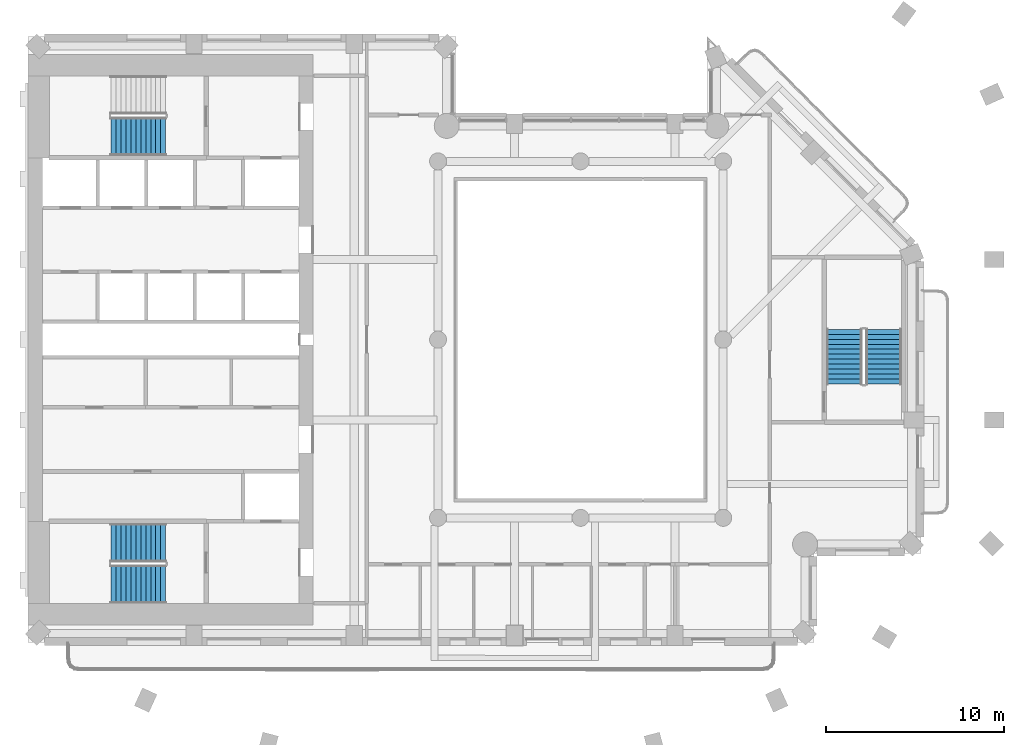
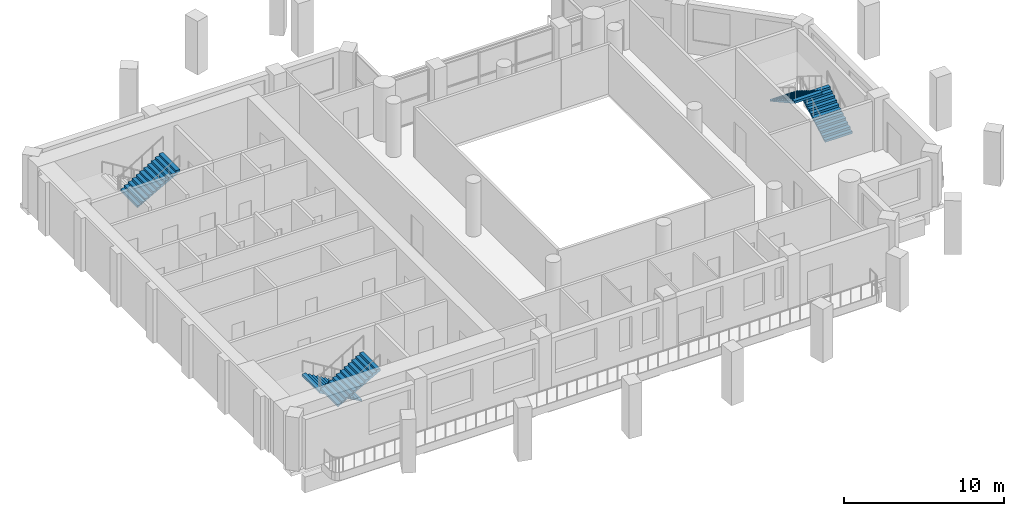
# One storey, part 8 of 14: 5 stair flights, 3 elements without a shape of their own.
"""IFC4 building model written with IfcOpenShell, lengths in metres."""

from ifc_helpers import new_model, si_unit, direction, frame, origin, place, context, subcontext, project, spatial, triangles, material, type_object, element, aggregate, save


model = new_model("IFC4")

# Units and contexts
model_context = context("Model", 3, precision=1e-05, world=origin(), true_north=direction((0.0, 1.0)))
body_context = subcontext(model_context, "Body", "Model", "MODEL_VIEW")
ifc_project = project(units=[si_unit("LENGTHUNIT", "METRE"), si_unit("AREAUNIT", "SQUARE_METRE"), si_unit("VOLUMEUNIT", "CUBIC_METRE"), si_unit("PLANEANGLEUNIT", "RADIAN"), si_unit("MASSUNIT", "GRAM", prefix="KILO")], contexts=[model_context])

# Site, building, storey
site_placement = place(None, origin())
site = spatial("IfcSite", under=ifc_project, at=site_placement, CompositionType="ELEMENT")
building_placement = place(site_placement, origin())
building = spatial("IfcBuilding", under=site, at=building_placement, Name="Cypress Arch Tower", CompositionType="ELEMENT")
storey_placement = place(building_placement, frame((0.0, 0.0, 201.5)))
storey = spatial("IfcBuildingStorey", under=building, at=storey_placement, Name="L44", CompositionType="ELEMENT", Elevation=201.5)

# Stair, stair flights
ifc_material_1 = material(Name="Concrete C40/50", Category="concrete")
stair_type_1 = type_object("IfcStairType", Name="Exit stair ES1708-200", PredefinedType="HALF_TURN_STAIR", material=ifc_material_1)
stair_1_placement = place(storey_placement, origin())
stair_1 = element("IfcStair", 1, at=stair_1_placement, inside=storey, type_object=stair_type_1, Name="L44 Exit stair C", PredefinedType="HALF_TURN_STAIR")
ifc_material_2 = material(Name="Concrete C40/50", Category="concrete")
stair_flight_type_1 = type_object("IfcStairFlightType", Name="Exit stair flight ES1708-200", PredefinedType="STRAIGHT", material=ifc_material_2)
stair_flight_1_placement = place(storey_placement, frame((18.0, -2.5, 0.0), z_axis=(0.0, 0.0, 1.0), x_axis=(0.0, 1.0, 0.0)))
stair_flight_1 = element("IfcStairFlight", 2, at=stair_flight_1_placement, type_object=stair_flight_type_1, Name="C flight 1", NumberOfRisers=12, NumberOfTreads=11, PredefinedType="STRAIGHT", RiserHeight=0.170833333, TreadLength=0.28, context=body_context, shape_type="Tessellation", body=[
    triangles([(0.0, -1.0, 0.0), (0.0, -1.0, 0.1708984375), (0.280029296875, -1.0, 0.1708984375), (0.280029296875, -1.0, 0.341552734375), (0.56005859375, -1.0, 0.341552734375), (0.56005859375, -1.0, 0.512451171875), (0.840087890625, -1.0, 0.512451171875), (0.840087890625, -1.0, 0.683349609375), (1.1201171875, -1.0, 0.683349609375), (1.1201171875, -1.0, 0.854248046875), (1.39990234375, -1.0, 0.854248046875), (1.39990234375, -1.0, 1.02490234375), (1.679931640625, -1.0, 1.02490234375), (1.679931640625, -1.0, 1.19580078125), (1.9599609375, -1.0, 1.19580078125), (1.9599609375, -1.0, 1.36669921875), (2.239990234375, -1.0, 1.36669921875), (2.239990234375, -1.0, 1.53759765625), (2.52001953125, -1.0, 1.53759765625), (2.52001953125, -1.0, 1.708251953125), (2.800048828125, -1.0, 1.708251953125), (2.800048828125, -1.0, 1.879150390625), (3.080078125, -1.0, 1.879150390625), (3.080078125, -1.0, 1.70361328125), (3.080078125, 1.0, 1.70361328125), (3.080078125, 1.0, 1.879150390625), (2.800048828125, 1.0, 1.879150390625), (2.800048828125, 1.0, 1.708251953125), (2.52001953125, 1.0, 1.708251953125), (2.52001953125, 1.0, 1.53759765625), (2.239990234375, 1.0, 1.53759765625), (2.239990234375, 1.0, 1.36669921875), (1.9599609375, 1.0, 1.36669921875), (1.9599609375, 1.0, 1.19580078125), (1.679931640625, 1.0, 1.19580078125), (1.679931640625, 1.0, 1.02490234375), (1.39990234375, 1.0, 1.02490234375), (1.39990234375, 1.0, 0.854248046875), (1.1201171875, 1.0, 0.854248046875), (1.1201171875, 1.0, 0.683349609375), (0.840087890625, 1.0, 0.683349609375), (0.840087890625, 1.0, 0.512451171875), (0.56005859375, 1.0, 0.512451171875), (0.56005859375, 1.0, 0.341552734375), (0.280029296875, 1.0, 0.341552734375), (0.280029296875, 1.0, 0.1708984375), (0.0, 1.0, 0.1708984375), (0.0, 1.0, 0.0), (3.080078125, 0.0, 1.879150390625), (3.080078125, 0.0, 1.70361328125), (2.800048828125, 0.0, 1.879150390625), (2.800048828125, 0.0, 1.708251953125), (2.52001953125, 0.0, 1.708251953125), (2.52001953125, 0.0, 1.53759765625), (2.239990234375, 0.0, 1.53759765625), (2.239990234375, 0.0, 1.36669921875), (1.9599609375, 0.0, 1.36669921875), (1.9599609375, 0.0, 1.19580078125), (1.679931640625, 0.0, 1.19580078125), (1.679931640625, 0.0, 1.02490234375), (1.39990234375, 0.0, 1.02490234375), (1.39990234375, 0.0, 0.854248046875), (1.1201171875, 0.0, 0.854248046875), (1.1201171875, 0.0, 0.683349609375), (0.840087890625, 0.0, 0.683349609375), (0.840087890625, 0.0, 0.512451171875), (0.56005859375, 0.0, 0.512451171875), (0.56005859375, 0.0, 0.341552734375), (0.280029296875, 0.0, 0.341552734375), (0.280029296875, 0.0, 0.1708984375), (0.0, 0.0, 0.1708984375), (0.0, 0.0, 0.0)], [[24, 23, 22], [11, 10, 9], [19, 18, 17], [17, 16, 15], [15, 14, 13], [9, 8, 7], [7, 6, 5], [3, 2, 1], [21, 20, 19], [13, 12, 11], [5, 4, 3], [24, 22, 21], [24, 21, 19], [24, 19, 17], [24, 17, 15], [24, 15, 13], [24, 13, 11], [24, 11, 9], [24, 9, 7], [24, 7, 5], [1, 24, 5], [5, 3, 1], [25, 27, 26], [38, 40, 39], [30, 32, 31], [32, 34, 33], [34, 36, 35], [40, 42, 41], [42, 44, 43], [46, 48, 47], [28, 30, 29], [36, 38, 37], [44, 46, 45], [25, 28, 27], [25, 30, 28], [25, 32, 30], [25, 34, 32], [25, 36, 34], [25, 38, 36], [25, 40, 38], [25, 42, 40], [25, 44, 42], [48, 44, 25], [44, 48, 46], [50, 49, 23], [50, 23, 24], [25, 26, 49], [25, 49, 50], [49, 51, 22], [49, 22, 23], [26, 27, 51], [26, 51, 49], [51, 52, 21], [51, 21, 22], [27, 28, 52], [27, 52, 51], [52, 53, 20], [52, 20, 21], [28, 29, 53], [28, 53, 52], [53, 54, 19], [53, 19, 20], [29, 30, 54], [29, 54, 53], [54, 55, 18], [54, 18, 19], [30, 31, 55], [30, 55, 54], [55, 56, 17], [55, 17, 18], [31, 32, 56], [31, 56, 55], [56, 57, 16], [56, 16, 17], [32, 33, 57], [32, 57, 56], [57, 58, 15], [57, 15, 16], [33, 34, 58], [33, 58, 57], [58, 59, 14], [58, 14, 15], [34, 35, 59], [34, 59, 58], [59, 60, 13], [59, 13, 14], [35, 36, 60], [35, 60, 59], [60, 61, 12], [60, 12, 13], [36, 37, 61], [36, 61, 60], [61, 62, 11], [61, 11, 12], [37, 38, 62], [37, 62, 61], [62, 63, 10], [62, 10, 11], [38, 39, 63], [38, 63, 62], [63, 64, 9], [63, 9, 10], [39, 40, 64], [39, 64, 63], [64, 65, 8], [64, 8, 9], [40, 41, 65], [40, 65, 64], [65, 66, 7], [65, 7, 8], [41, 42, 66], [41, 66, 65], [66, 67, 6], [66, 6, 7], [42, 43, 67], [42, 67, 66], [67, 68, 5], [67, 5, 6], [43, 44, 68], [43, 68, 67], [68, 69, 4], [68, 4, 5], [44, 45, 69], [44, 69, 68], [69, 70, 3], [69, 3, 4], [45, 46, 70], [45, 70, 69], [70, 71, 2], [70, 2, 3], [46, 47, 71], [46, 71, 70], [71, 72, 1], [71, 1, 2], [47, 48, 72], [47, 72, 71], [72, 50, 24], [72, 24, 1], [48, 25, 50], [48, 50, 72]], closed=True),
])
stair_flight_2_placement = place(storey_placement, frame((15.800048828125, 0.580078125, 2.050048828125), z_axis=(0.0, 0.0, 1.0), x_axis=(0.0, -1.0, 0.0)))
stair_flight_2 = element("IfcStairFlight", 3, at=stair_flight_2_placement, type_object=stair_flight_type_1, Name="C flight 2", NumberOfRisers=12, NumberOfTreads=11, PredefinedType="STRAIGHT", RiserHeight=0.170833333, TreadLength=0.28, context=body_context, shape_type="Tessellation", body=[
    triangles([(0.0, -1.0, 0.0), (0.0, -1.0, 0.1708984375), (0.280029296875, -1.0, 0.1708984375), (0.280029296875, -1.0, 0.341552734375), (0.56005859375, -1.0, 0.341552734375), (0.56005859375, -1.0, 0.512451171875), (0.840087890625, -1.0, 0.512451171875), (0.840087890625, -1.0, 0.683349609375), (1.1201171875, -1.0, 0.683349609375), (1.1201171875, -1.0, 0.854248046875), (1.39990234375, -1.0, 0.854248046875), (1.39990234375, -1.0, 1.02490234375), (1.679931640625, -1.0, 1.02490234375), (1.679931640625, -1.0, 1.19580078125), (1.9599609375, -1.0, 1.19580078125), (1.9599609375, -1.0, 1.36669921875), (2.239990234375, -1.0, 1.36669921875), (2.239990234375, -1.0, 1.53759765625), (2.52001953125, -1.0, 1.53759765625), (2.52001953125, -1.0, 1.708251953125), (2.800048828125, -1.0, 1.708251953125), (2.800048828125, -1.0, 1.879150390625), (3.080078125, -1.0, 1.879150390625), (3.080078125, -1.0, 1.70361328125), (3.080078125, 1.0, 1.70361328125), (3.080078125, 1.0, 1.879150390625), (2.800048828125, 1.0, 1.879150390625), (2.800048828125, 1.0, 1.708251953125), (2.52001953125, 1.0, 1.708251953125), (2.52001953125, 1.0, 1.53759765625), (2.239990234375, 1.0, 1.53759765625), (2.239990234375, 1.0, 1.36669921875), (1.9599609375, 1.0, 1.36669921875), (1.9599609375, 1.0, 1.19580078125), (1.679931640625, 1.0, 1.19580078125), (1.679931640625, 1.0, 1.02490234375), (1.39990234375, 1.0, 1.02490234375), (1.39990234375, 1.0, 0.854248046875), (1.1201171875, 1.0, 0.854248046875), (1.1201171875, 1.0, 0.683349609375), (0.840087890625, 1.0, 0.683349609375), (0.840087890625, 1.0, 0.512451171875), (0.56005859375, 1.0, 0.512451171875), (0.56005859375, 1.0, 0.341552734375), (0.280029296875, 1.0, 0.341552734375), (0.280029296875, 1.0, 0.1708984375), (0.0, 1.0, 0.1708984375), (0.0, 1.0, 0.0), (3.080078125, 0.0, 1.879150390625), (3.080078125, 0.0, 1.70361328125), (2.800048828125, 0.0, 1.879150390625), (2.800048828125, 0.0, 1.708251953125), (2.52001953125, 0.0, 1.708251953125), (2.52001953125, 0.0, 1.53759765625), (2.239990234375, 0.0, 1.53759765625), (2.239990234375, 0.0, 1.36669921875), (1.9599609375, 0.0, 1.36669921875), (1.9599609375, 0.0, 1.19580078125), (1.679931640625, 0.0, 1.19580078125), (1.679931640625, 0.0, 1.02490234375), (1.39990234375, 0.0, 1.02490234375), (1.39990234375, 0.0, 0.854248046875), (1.1201171875, 0.0, 0.854248046875), (1.1201171875, 0.0, 0.683349609375), (0.840087890625, 0.0, 0.683349609375), (0.840087890625, 0.0, 0.512451171875), (0.56005859375, 0.0, 0.512451171875), (0.56005859375, 0.0, 0.341552734375), (0.280029296875, 0.0, 0.341552734375), (0.280029296875, 0.0, 0.1708984375), (0.0, 0.0, 0.1708984375), (0.0, 0.0, 0.0)], [[24, 23, 22], [11, 10, 9], [19, 18, 17], [17, 16, 15], [15, 14, 13], [9, 8, 7], [7, 6, 5], [3, 2, 1], [21, 20, 19], [13, 12, 11], [5, 4, 3], [24, 22, 21], [24, 21, 19], [24, 19, 17], [24, 17, 15], [24, 15, 13], [24, 13, 11], [24, 11, 9], [24, 9, 7], [24, 7, 5], [1, 24, 5], [5, 3, 1], [25, 27, 26], [38, 40, 39], [30, 32, 31], [32, 34, 33], [34, 36, 35], [40, 42, 41], [42, 44, 43], [46, 48, 47], [28, 30, 29], [36, 38, 37], [44, 46, 45], [25, 28, 27], [25, 30, 28], [25, 32, 30], [25, 34, 32], [25, 36, 34], [25, 38, 36], [25, 40, 38], [25, 42, 40], [25, 44, 42], [48, 44, 25], [44, 48, 46], [50, 49, 23], [50, 23, 24], [25, 26, 49], [25, 49, 50], [49, 51, 22], [49, 22, 23], [26, 27, 51], [26, 51, 49], [51, 52, 21], [51, 21, 22], [27, 28, 52], [27, 52, 51], [52, 53, 20], [52, 20, 21], [28, 29, 53], [28, 53, 52], [53, 54, 19], [53, 19, 20], [29, 30, 54], [29, 54, 53], [54, 55, 18], [54, 18, 19], [30, 31, 55], [30, 55, 54], [55, 56, 17], [55, 17, 18], [31, 32, 56], [31, 56, 55], [56, 57, 16], [56, 16, 17], [32, 33, 57], [32, 57, 56], [57, 58, 15], [57, 15, 16], [33, 34, 58], [33, 58, 57], [58, 59, 14], [58, 14, 15], [34, 35, 59], [34, 59, 58], [59, 60, 13], [59, 13, 14], [35, 36, 60], [35, 60, 59], [60, 61, 12], [60, 12, 13], [36, 37, 61], [36, 61, 60], [61, 62, 11], [61, 11, 12], [37, 38, 62], [37, 62, 61], [62, 63, 10], [62, 10, 11], [38, 39, 63], [38, 63, 62], [63, 64, 9], [63, 9, 10], [39, 40, 64], [39, 64, 63], [64, 65, 8], [64, 8, 9], [40, 41, 65], [40, 65, 64], [65, 66, 7], [65, 7, 8], [41, 42, 66], [41, 66, 65], [66, 67, 6], [66, 6, 7], [42, 43, 67], [42, 67, 66], [67, 68, 5], [67, 5, 6], [43, 44, 68], [43, 68, 67], [68, 69, 4], [68, 4, 5], [44, 45, 69], [44, 69, 68], [69, 70, 3], [69, 3, 4], [45, 46, 70], [45, 70, 69], [70, 71, 2], [70, 2, 3], [46, 47, 71], [46, 71, 70], [71, 72, 1], [71, 1, 2], [47, 48, 72], [47, 72, 71], [72, 50, 24], [72, 24, 1], [48, 25, 50], [48, 50, 72]], closed=True),
])
aggregate(stair_1, [stair_flight_1, stair_flight_2])

ifc_material_3 = material(Name="Concrete C40/50", Category="concrete")
stair_type_2 = type_object("IfcStairType", Name="Exit stair ES1708-215", PredefinedType="HALF_TURN_STAIR", material=ifc_material_3)
stair_2_placement = place(storey_placement, origin())
stair_2 = element("IfcStair", 4, at=stair_2_placement, inside=storey, type_object=stair_type_2, Name="L44 Exit stair A", PredefinedType="HALF_TURN_STAIR")
ifc_material_4 = material(Name="Concrete C40/50", Category="concrete")
stair_flight_type_2 = type_object("IfcStairFlightType", Name="Exit stair flight ES1708-215", PredefinedType="STRAIGHT", material=ifc_material_4)
stair_flight_3_placement = place(storey_placement, frame((-22.27490234375, -11.39990234375, 0.0), z_axis=(0.0, 0.0, 1.0), x_axis=(-1.0, 0.0, 0.0)))
stair_flight_3 = element("IfcStairFlight", 5, at=stair_flight_3_placement, type_object=stair_flight_type_2, Name="A flight 1", NumberOfRisers=12, NumberOfTreads=11, PredefinedType="STRAIGHT", RiserHeight=0.170833333, TreadLength=0.28, context=body_context, shape_type="Tessellation", body=[
    triangles([(0.0, -1.074951171875, 0.0), (0.000244140625, -1.074951171875, 0.01904296875), (0.000244140625, -1.074951171875, 0.0380859375), (0.00048828125, -1.074951171875, 0.056884765625), (0.00048828125, -1.074951171875, 0.075927734375), (0.00048828125, -1.074951171875, 0.094970703125), (0.00048828125, -1.074951171875, 0.114013671875), (0.000244140625, -1.074951171875, 0.1328125), (0.000244140625, -1.074951171875, 0.15185546875), (0.0, -1.074951171875, 0.1708984375), (0.280029296875, -1.074951171875, 0.1708984375), (0.280029296875, -1.074951171875, 0.341552734375), (0.56005859375, -1.074951171875, 0.341552734375), (0.56005859375, -1.074951171875, 0.512451171875), (0.840087890625, -1.074951171875, 0.512451171875), (0.840087890625, -1.074951171875, 0.683349609375), (1.1201171875, -1.074951171875, 0.683349609375), (1.1201171875, -1.074951171875, 0.854248046875), (1.39990234375, -1.074951171875, 0.854248046875), (1.39990234375, -1.074951171875, 1.02490234375), (1.679931640625, -1.074951171875, 1.02490234375), (1.679931640625, -1.074951171875, 1.19580078125), (1.9599609375, -1.074951171875, 1.19580078125), (1.9599609375, -1.074951171875, 1.36669921875), (2.239990234375, -1.074951171875, 1.36669921875), (2.239990234375, -1.074951171875, 1.53759765625), (2.52001953125, -1.074951171875, 1.53759765625), (2.52001953125, -1.074951171875, 1.708251953125), (2.800048828125, -1.074951171875, 1.708251953125), (2.800048828125, -1.074951171875, 1.879150390625), (3.080078125, -1.074951171875, 1.879150390625), (3.079833984375, -1.074951171875, 1.859619140625), (3.079833984375, -1.074951171875, 1.840087890625), (3.07958984375, -1.074951171875, 1.820556640625), (3.07958984375, -1.074951171875, 1.801025390625), (3.07958984375, -1.074951171875, 1.78173828125), (3.07958984375, -1.074951171875, 1.76220703125), (3.079833984375, -1.074951171875, 1.74267578125), (3.079833984375, -1.074951171875, 1.72314453125), (3.080078125, -1.074951171875, 1.70361328125), (3.080078125, 1.074951171875, 1.70361328125), (3.079833984375, 1.074951171875, 1.72314453125), (3.079833984375, 1.074951171875, 1.74267578125), (3.07958984375, 1.074951171875, 1.76220703125), (3.07958984375, 1.074951171875, 1.78173828125), (3.07958984375, 1.074951171875, 1.801025390625), (3.07958984375, 1.074951171875, 1.820556640625), (3.079833984375, 1.074951171875, 1.840087890625), (3.079833984375, 1.074951171875, 1.859619140625), (3.080078125, 1.074951171875, 1.879150390625), (2.800048828125, 1.074951171875, 1.879150390625), (2.800048828125, 1.074951171875, 1.708251953125), (2.52001953125, 1.074951171875, 1.708251953125), (2.52001953125, 1.074951171875, 1.53759765625), (2.239990234375, 1.074951171875, 1.53759765625), (2.239990234375, 1.074951171875, 1.36669921875), (1.9599609375, 1.074951171875, 1.36669921875), (1.9599609375, 1.074951171875, 1.19580078125), (1.679931640625, 1.074951171875, 1.19580078125), (1.679931640625, 1.074951171875, 1.02490234375), (1.39990234375, 1.074951171875, 1.02490234375), (1.39990234375, 1.074951171875, 0.854248046875), (1.1201171875, 1.074951171875, 0.854248046875), (1.1201171875, 1.074951171875, 0.683349609375), (0.840087890625, 1.074951171875, 0.683349609375), (0.840087890625, 1.074951171875, 0.512451171875), (0.56005859375, 1.074951171875, 0.512451171875), (0.56005859375, 1.074951171875, 0.341552734375), (0.280029296875, 1.074951171875, 0.341552734375), (0.280029296875, 1.074951171875, 0.1708984375), (0.0, 1.074951171875, 0.1708984375), (0.000244140625, 1.074951171875, 0.15185546875), (0.000244140625, 1.074951171875, 0.1328125), (0.00048828125, 1.074951171875, 0.114013671875), (0.00048828125, 1.074951171875, 0.094970703125), (0.00048828125, 1.074951171875, 0.075927734375), (0.00048828125, 1.074951171875, 0.056884765625), (0.000244140625, 1.074951171875, 0.0380859375), (0.000244140625, 1.074951171875, 0.01904296875), (0.0, 1.074951171875, 0.0)], [[40, 39, 30], [39, 38, 30], [38, 37, 30], [37, 36, 30], [36, 35, 30], [35, 34, 30], [34, 33, 30], [33, 32, 30], [32, 31, 30], [19, 18, 17], [27, 26, 25], [25, 24, 23], [23, 22, 21], [17, 16, 15], [15, 14, 13], [10, 9, 11], [9, 8, 11], [8, 7, 11], [7, 6, 11], [6, 5, 11], [5, 4, 11], [4, 3, 11], [3, 2, 11], [2, 1, 11], [29, 28, 27], [21, 20, 19], [13, 12, 11], [40, 30, 29], [40, 29, 27], [40, 27, 25], [40, 25, 23], [40, 23, 21], [40, 21, 19], [40, 19, 17], [40, 17, 15], [40, 15, 13], [1, 40, 13], [13, 11, 1], [41, 51, 42], [42, 51, 43], [43, 51, 44], [44, 51, 45], [45, 51, 46], [46, 51, 47], [47, 51, 48], [48, 51, 49], [49, 51, 50], [62, 64, 63], [54, 56, 55], [56, 58, 57], [58, 60, 59], [64, 66, 65], [66, 68, 67], [71, 70, 72], [72, 70, 73], [73, 70, 74], [74, 70, 75], [75, 70, 76], [76, 70, 77], [77, 70, 78], [78, 70, 79], [79, 70, 80], [52, 54, 53], [60, 62, 61], [68, 70, 69], [41, 52, 51], [41, 54, 52], [41, 56, 54], [41, 58, 56], [41, 60, 58], [41, 62, 60], [41, 64, 62], [41, 66, 64], [41, 68, 66], [80, 68, 41], [68, 80, 70], [41, 42, 39], [41, 39, 40], [42, 43, 38], [42, 38, 39], [43, 44, 37], [43, 37, 38], [44, 45, 36], [44, 36, 37], [45, 46, 35], [45, 35, 36], [46, 47, 34], [46, 34, 35], [47, 48, 33], [47, 33, 34], [48, 49, 32], [48, 32, 33], [49, 50, 31], [49, 31, 32], [50, 51, 30], [50, 30, 31], [51, 52, 29], [51, 29, 30], [52, 53, 28], [52, 28, 29], [53, 54, 27], [53, 27, 28], [54, 55, 26], [54, 26, 27], [55, 56, 25], [55, 25, 26], [56, 57, 24], [56, 24, 25], [57, 58, 23], [57, 23, 24], [58, 59, 22], [58, 22, 23], [59, 60, 21], [59, 21, 22], [60, 61, 20], [60, 20, 21], [61, 62, 19], [61, 19, 20], [62, 63, 18], [62, 18, 19], [63, 64, 17], [63, 17, 18], [64, 65, 16], [64, 16, 17], [65, 66, 15], [65, 15, 16], [66, 67, 14], [66, 14, 15], [67, 68, 13], [67, 13, 14], [68, 69, 12], [68, 12, 13], [69, 70, 11], [69, 11, 12], [70, 71, 10], [70, 10, 11], [71, 72, 9], [71, 9, 10], [72, 73, 8], [72, 8, 9], [73, 74, 7], [73, 7, 8], [74, 75, 6], [74, 6, 7], [75, 76, 5], [75, 5, 6], [76, 77, 4], [76, 4, 5], [77, 78, 3], [77, 3, 4], [78, 79, 2], [78, 2, 3], [79, 80, 1], [79, 1, 2], [80, 41, 40], [80, 40, 1]], closed=True),
])
stair_flight_4_placement = place(storey_placement, frame((-25.35498046875, -13.72509765625, 2.050048828125), z_axis=(0.0, 0.0, 1.0), x_axis=(1.0, 0.0, 0.0)))
stair_flight_4 = element("IfcStairFlight", 6, at=stair_flight_4_placement, type_object=stair_flight_type_2, Name="A flight 2", NumberOfRisers=12, NumberOfTreads=11, PredefinedType="STRAIGHT", RiserHeight=0.170833333, TreadLength=0.28, context=body_context, shape_type="Tessellation", body=[
    triangles([(0.0, -1.074951171875, 0.0), (0.000244140625, -1.074951171875, 0.01904296875), (0.000244140625, -1.074951171875, 0.0380859375), (0.00048828125, -1.074951171875, 0.056884765625), (0.00048828125, -1.074951171875, 0.075927734375), (0.00048828125, -1.074951171875, 0.094970703125), (0.00048828125, -1.074951171875, 0.114013671875), (0.000244140625, -1.074951171875, 0.1328125), (0.000244140625, -1.074951171875, 0.15185546875), (0.0, -1.074951171875, 0.1708984375), (0.280029296875, -1.074951171875, 0.1708984375), (0.280029296875, -1.074951171875, 0.341552734375), (0.56005859375, -1.074951171875, 0.341552734375), (0.56005859375, -1.074951171875, 0.512451171875), (0.840087890625, -1.074951171875, 0.512451171875), (0.840087890625, -1.074951171875, 0.683349609375), (1.1201171875, -1.074951171875, 0.683349609375), (1.1201171875, -1.074951171875, 0.854248046875), (1.39990234375, -1.074951171875, 0.854248046875), (1.39990234375, -1.074951171875, 1.02490234375), (1.679931640625, -1.074951171875, 1.02490234375), (1.679931640625, -1.074951171875, 1.19580078125), (1.9599609375, -1.074951171875, 1.19580078125), (1.9599609375, -1.074951171875, 1.36669921875), (2.239990234375, -1.074951171875, 1.36669921875), (2.239990234375, -1.074951171875, 1.53759765625), (2.52001953125, -1.074951171875, 1.53759765625), (2.52001953125, -1.074951171875, 1.708251953125), (2.800048828125, -1.074951171875, 1.708251953125), (2.800048828125, -1.074951171875, 1.879150390625), (3.080078125, -1.074951171875, 1.879150390625), (3.079833984375, -1.074951171875, 1.859619140625), (3.079833984375, -1.074951171875, 1.840087890625), (3.07958984375, -1.074951171875, 1.820556640625), (3.07958984375, -1.074951171875, 1.801025390625), (3.07958984375, -1.074951171875, 1.78173828125), (3.07958984375, -1.074951171875, 1.76220703125), (3.079833984375, -1.074951171875, 1.74267578125), (3.079833984375, -1.074951171875, 1.72314453125), (3.080078125, -1.074951171875, 1.70361328125), (3.080078125, 1.074951171875, 1.70361328125), (3.079833984375, 1.074951171875, 1.72314453125), (3.079833984375, 1.074951171875, 1.74267578125), (3.07958984375, 1.074951171875, 1.76220703125), (3.07958984375, 1.074951171875, 1.78173828125), (3.07958984375, 1.074951171875, 1.801025390625), (3.07958984375, 1.074951171875, 1.820556640625), (3.079833984375, 1.074951171875, 1.840087890625), (3.079833984375, 1.074951171875, 1.859619140625), (3.080078125, 1.074951171875, 1.879150390625), (2.800048828125, 1.074951171875, 1.879150390625), (2.800048828125, 1.074951171875, 1.708251953125), (2.52001953125, 1.074951171875, 1.708251953125), (2.52001953125, 1.074951171875, 1.53759765625), (2.239990234375, 1.074951171875, 1.53759765625), (2.239990234375, 1.074951171875, 1.36669921875), (1.9599609375, 1.074951171875, 1.36669921875), (1.9599609375, 1.074951171875, 1.19580078125), (1.679931640625, 1.074951171875, 1.19580078125), (1.679931640625, 1.074951171875, 1.02490234375), (1.39990234375, 1.074951171875, 1.02490234375), (1.39990234375, 1.074951171875, 0.854248046875), (1.1201171875, 1.074951171875, 0.854248046875), (1.1201171875, 1.074951171875, 0.683349609375), (0.840087890625, 1.074951171875, 0.683349609375), (0.840087890625, 1.074951171875, 0.512451171875), (0.56005859375, 1.074951171875, 0.512451171875), (0.56005859375, 1.074951171875, 0.341552734375), (0.280029296875, 1.074951171875, 0.341552734375), (0.280029296875, 1.074951171875, 0.1708984375), (0.0, 1.074951171875, 0.1708984375), (0.000244140625, 1.074951171875, 0.15185546875), (0.000244140625, 1.074951171875, 0.1328125), (0.00048828125, 1.074951171875, 0.114013671875), (0.00048828125, 1.074951171875, 0.094970703125), (0.00048828125, 1.074951171875, 0.075927734375), (0.00048828125, 1.074951171875, 0.056884765625), (0.000244140625, 1.074951171875, 0.0380859375), (0.000244140625, 1.074951171875, 0.01904296875), (0.0, 1.074951171875, 0.0)], [[40, 39, 30], [39, 38, 30], [38, 37, 30], [37, 36, 30], [36, 35, 30], [35, 34, 30], [34, 33, 30], [33, 32, 30], [32, 31, 30], [19, 18, 17], [27, 26, 25], [25, 24, 23], [23, 22, 21], [17, 16, 15], [15, 14, 13], [10, 9, 11], [9, 8, 11], [8, 7, 11], [7, 6, 11], [6, 5, 11], [5, 4, 11], [4, 3, 11], [3, 2, 11], [2, 1, 11], [29, 28, 27], [21, 20, 19], [13, 12, 11], [40, 30, 29], [40, 29, 27], [40, 27, 25], [40, 25, 23], [40, 23, 21], [40, 21, 19], [40, 19, 17], [40, 17, 15], [40, 15, 13], [1, 40, 13], [13, 11, 1], [41, 51, 42], [42, 51, 43], [43, 51, 44], [44, 51, 45], [45, 51, 46], [46, 51, 47], [47, 51, 48], [48, 51, 49], [49, 51, 50], [62, 64, 63], [54, 56, 55], [56, 58, 57], [58, 60, 59], [64, 66, 65], [66, 68, 67], [71, 70, 72], [72, 70, 73], [73, 70, 74], [74, 70, 75], [75, 70, 76], [76, 70, 77], [77, 70, 78], [78, 70, 79], [79, 70, 80], [52, 54, 53], [60, 62, 61], [68, 70, 69], [41, 52, 51], [41, 54, 52], [41, 56, 54], [41, 58, 56], [41, 60, 58], [41, 62, 60], [41, 64, 62], [41, 66, 64], [41, 68, 66], [80, 68, 41], [68, 80, 70], [41, 42, 39], [41, 39, 40], [42, 43, 38], [42, 38, 39], [43, 44, 37], [43, 37, 38], [44, 45, 36], [44, 36, 37], [45, 46, 35], [45, 35, 36], [46, 47, 34], [46, 34, 35], [47, 48, 33], [47, 33, 34], [48, 49, 32], [48, 32, 33], [49, 50, 31], [49, 31, 32], [50, 51, 30], [50, 30, 31], [51, 52, 29], [51, 29, 30], [52, 53, 28], [52, 28, 29], [53, 54, 27], [53, 27, 28], [54, 55, 26], [54, 26, 27], [55, 56, 25], [55, 25, 26], [56, 57, 24], [56, 24, 25], [57, 58, 23], [57, 23, 24], [58, 59, 22], [58, 22, 23], [59, 60, 21], [59, 21, 22], [60, 61, 20], [60, 20, 21], [61, 62, 19], [61, 19, 20], [62, 63, 18], [62, 18, 19], [63, 64, 17], [63, 17, 18], [64, 65, 16], [64, 16, 17], [65, 66, 15], [65, 15, 16], [66, 67, 14], [66, 14, 15], [67, 68, 13], [67, 13, 14], [68, 69, 12], [68, 12, 13], [69, 70, 11], [69, 11, 12], [70, 71, 10], [70, 10, 11], [71, 72, 9], [71, 9, 10], [72, 73, 8], [72, 8, 9], [73, 74, 7], [73, 7, 8], [74, 75, 6], [74, 6, 7], [75, 76, 5], [75, 5, 6], [76, 77, 4], [76, 4, 5], [77, 78, 3], [77, 3, 4], [78, 79, 2], [78, 2, 3], [79, 80, 1], [79, 1, 2], [80, 41, 40], [80, 40, 1]], closed=True),
])
aggregate(stair_2, [stair_flight_3, stair_flight_4])

# Stair, stair flight
stair_3_placement = place(storey_placement, origin())
stair_3 = element("IfcStair", 7, at=stair_3_placement, inside=storey, type_object=stair_type_2, Name="L44 Exit stair B", PredefinedType="HALF_TURN_STAIR")
stair_flight_5_placement = place(storey_placement, frame((-25.35498046875, 11.39990234375, 2.050048828125), z_axis=(0.0, 0.0, 1.0), x_axis=(1.0, 0.0, 0.0)))
stair_flight_5 = element("IfcStairFlight", 8, at=stair_flight_5_placement, type_object=stair_flight_type_2, Name="B flight 2", NumberOfRisers=12, NumberOfTreads=11, PredefinedType="STRAIGHT", RiserHeight=0.170833333, TreadLength=0.28, context=body_context, shape_type="Tessellation", body=[
    triangles([(0.0, -1.074951171875, 0.0), (0.000244140625, -1.074951171875, 0.01904296875), (0.000244140625, -1.074951171875, 0.0380859375), (0.00048828125, -1.074951171875, 0.056884765625), (0.00048828125, -1.074951171875, 0.075927734375), (0.00048828125, -1.074951171875, 0.094970703125), (0.00048828125, -1.074951171875, 0.114013671875), (0.000244140625, -1.074951171875, 0.1328125), (0.000244140625, -1.074951171875, 0.15185546875), (0.0, -1.074951171875, 0.1708984375), (0.280029296875, -1.074951171875, 0.1708984375), (0.280029296875, -1.074951171875, 0.341552734375), (0.56005859375, -1.074951171875, 0.341552734375), (0.56005859375, -1.074951171875, 0.512451171875), (0.840087890625, -1.074951171875, 0.512451171875), (0.840087890625, -1.074951171875, 0.683349609375), (1.1201171875, -1.074951171875, 0.683349609375), (1.1201171875, -1.074951171875, 0.854248046875), (1.39990234375, -1.074951171875, 0.854248046875), (1.39990234375, -1.074951171875, 1.02490234375), (1.679931640625, -1.074951171875, 1.02490234375), (1.679931640625, -1.074951171875, 1.19580078125), (1.9599609375, -1.074951171875, 1.19580078125), (1.9599609375, -1.074951171875, 1.36669921875), (2.239990234375, -1.074951171875, 1.36669921875), (2.239990234375, -1.074951171875, 1.53759765625), (2.52001953125, -1.074951171875, 1.53759765625), (2.52001953125, -1.074951171875, 1.708251953125), (2.800048828125, -1.074951171875, 1.708251953125), (2.800048828125, -1.074951171875, 1.879150390625), (3.080078125, -1.074951171875, 1.879150390625), (3.079833984375, -1.074951171875, 1.859619140625), (3.079833984375, -1.074951171875, 1.840087890625), (3.07958984375, -1.074951171875, 1.820556640625), (3.07958984375, -1.074951171875, 1.801025390625), (3.07958984375, -1.074951171875, 1.78173828125), (3.07958984375, -1.074951171875, 1.76220703125), (3.079833984375, -1.074951171875, 1.74267578125), (3.079833984375, -1.074951171875, 1.72314453125), (3.080078125, -1.074951171875, 1.70361328125), (3.080078125, 1.074951171875, 1.70361328125), (3.079833984375, 1.074951171875, 1.72314453125), (3.079833984375, 1.074951171875, 1.74267578125), (3.07958984375, 1.074951171875, 1.76220703125), (3.07958984375, 1.074951171875, 1.78173828125), (3.07958984375, 1.074951171875, 1.801025390625), (3.07958984375, 1.074951171875, 1.820556640625), (3.079833984375, 1.074951171875, 1.840087890625), (3.079833984375, 1.074951171875, 1.859619140625), (3.080078125, 1.074951171875, 1.879150390625), (2.800048828125, 1.074951171875, 1.879150390625), (2.800048828125, 1.074951171875, 1.708251953125), (2.52001953125, 1.074951171875, 1.708251953125), (2.52001953125, 1.074951171875, 1.53759765625), (2.239990234375, 1.074951171875, 1.53759765625), (2.239990234375, 1.074951171875, 1.36669921875), (1.9599609375, 1.074951171875, 1.36669921875), (1.9599609375, 1.074951171875, 1.19580078125), (1.679931640625, 1.074951171875, 1.19580078125), (1.679931640625, 1.074951171875, 1.02490234375), (1.39990234375, 1.074951171875, 1.02490234375), (1.39990234375, 1.074951171875, 0.854248046875), (1.1201171875, 1.074951171875, 0.854248046875), (1.1201171875, 1.074951171875, 0.683349609375), (0.840087890625, 1.074951171875, 0.683349609375), (0.840087890625, 1.074951171875, 0.512451171875), (0.56005859375, 1.074951171875, 0.512451171875), (0.56005859375, 1.074951171875, 0.341552734375), (0.280029296875, 1.074951171875, 0.341552734375), (0.280029296875, 1.074951171875, 0.1708984375), (0.0, 1.074951171875, 0.1708984375), (0.000244140625, 1.074951171875, 0.15185546875), (0.000244140625, 1.074951171875, 0.1328125), (0.00048828125, 1.074951171875, 0.114013671875), (0.00048828125, 1.074951171875, 0.094970703125), (0.00048828125, 1.074951171875, 0.075927734375), (0.00048828125, 1.074951171875, 0.056884765625), (0.000244140625, 1.074951171875, 0.0380859375), (0.000244140625, 1.074951171875, 0.01904296875), (0.0, 1.074951171875, 0.0)], [[40, 39, 30], [39, 38, 30], [38, 37, 30], [37, 36, 30], [36, 35, 30], [35, 34, 30], [34, 33, 30], [33, 32, 30], [32, 31, 30], [19, 18, 17], [27, 26, 25], [25, 24, 23], [23, 22, 21], [17, 16, 15], [15, 14, 13], [10, 9, 11], [9, 8, 11], [8, 7, 11], [7, 6, 11], [6, 5, 11], [5, 4, 11], [4, 3, 11], [3, 2, 11], [2, 1, 11], [29, 28, 27], [21, 20, 19], [13, 12, 11], [40, 30, 29], [40, 29, 27], [40, 27, 25], [40, 25, 23], [40, 23, 21], [40, 21, 19], [40, 19, 17], [40, 17, 15], [40, 15, 13], [1, 40, 13], [13, 11, 1], [41, 51, 42], [42, 51, 43], [43, 51, 44], [44, 51, 45], [45, 51, 46], [46, 51, 47], [47, 51, 48], [48, 51, 49], [49, 51, 50], [62, 64, 63], [54, 56, 55], [56, 58, 57], [58, 60, 59], [64, 66, 65], [66, 68, 67], [71, 70, 72], [72, 70, 73], [73, 70, 74], [74, 70, 75], [75, 70, 76], [76, 70, 77], [77, 70, 78], [78, 70, 79], [79, 70, 80], [52, 54, 53], [60, 62, 61], [68, 70, 69], [41, 52, 51], [41, 54, 52], [41, 56, 54], [41, 58, 56], [41, 60, 58], [41, 62, 60], [41, 64, 62], [41, 66, 64], [41, 68, 66], [80, 68, 41], [68, 80, 70], [41, 42, 39], [41, 39, 40], [42, 43, 38], [42, 38, 39], [43, 44, 37], [43, 37, 38], [44, 45, 36], [44, 36, 37], [45, 46, 35], [45, 35, 36], [46, 47, 34], [46, 34, 35], [47, 48, 33], [47, 33, 34], [48, 49, 32], [48, 32, 33], [49, 50, 31], [49, 31, 32], [50, 51, 30], [50, 30, 31], [51, 52, 29], [51, 29, 30], [52, 53, 28], [52, 28, 29], [53, 54, 27], [53, 27, 28], [54, 55, 26], [54, 26, 27], [55, 56, 25], [55, 25, 26], [56, 57, 24], [56, 24, 25], [57, 58, 23], [57, 23, 24], [58, 59, 22], [58, 22, 23], [59, 60, 21], [59, 21, 22], [60, 61, 20], [60, 20, 21], [61, 62, 19], [61, 19, 20], [62, 63, 18], [62, 18, 19], [63, 64, 17], [63, 17, 18], [64, 65, 16], [64, 16, 17], [65, 66, 15], [65, 15, 16], [66, 67, 14], [66, 14, 15], [67, 68, 13], [67, 13, 14], [68, 69, 12], [68, 12, 13], [69, 70, 11], [69, 11, 12], [70, 71, 10], [70, 10, 11], [71, 72, 9], [71, 9, 10], [72, 73, 8], [72, 8, 9], [73, 74, 7], [73, 7, 8], [74, 75, 6], [74, 6, 7], [75, 76, 5], [75, 5, 6], [76, 77, 4], [76, 4, 5], [77, 78, 3], [77, 3, 4], [78, 79, 2], [78, 2, 3], [79, 80, 1], [79, 1, 2], [80, 41, 40], [80, 40, 1]], closed=True),
])
aggregate(stair_3, [stair_flight_5])

save(model, "model.ifc")
